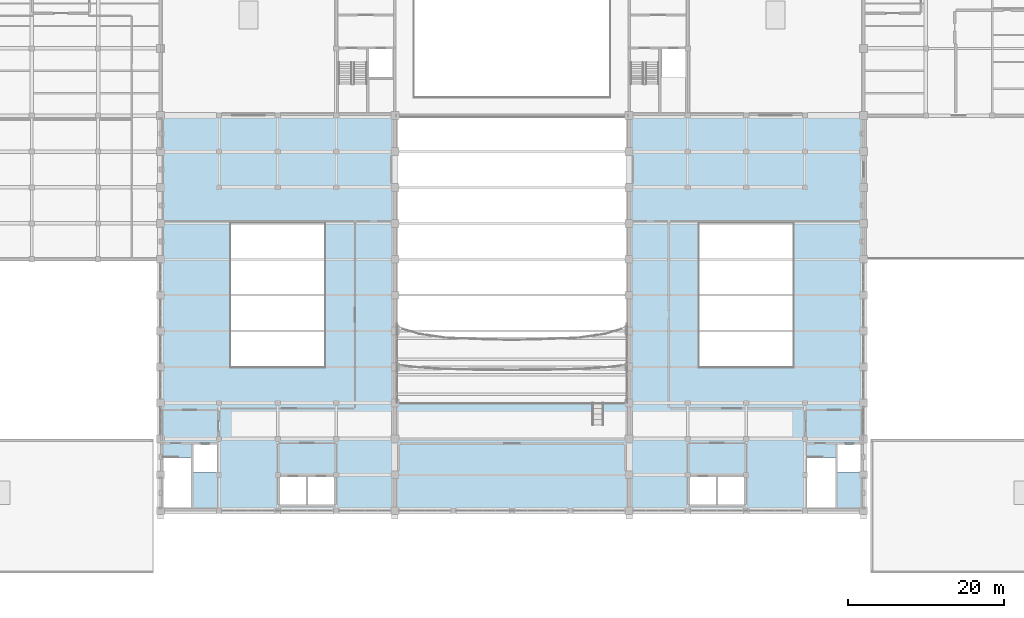
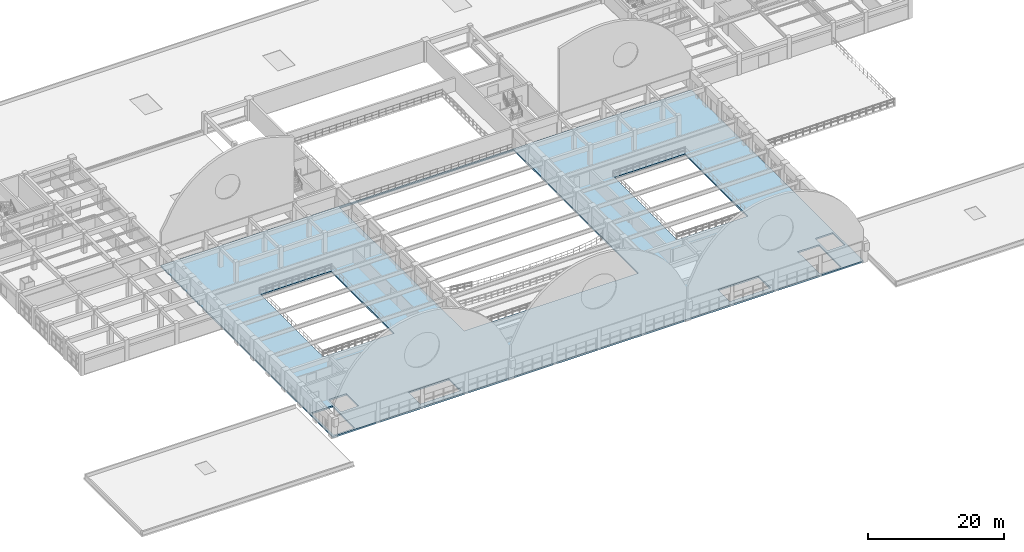
# One storey, part 45 of 74: 1 slab.
"""IFC4 building model written with IfcOpenShell, lengths in metres."""

import ifcopenshell
import ifcopenshell.guid

model = None  # the IFC model being written
_history = None  # IfcOwnerHistory: only IFC2X3 demands one
_inside = {}  # id of a spatial element -> (the spatial element, [elements in it])
_under = {}  # id of a project, library or spatial element -> (it, [spatial elements below it])
_declared = {}  # id of a project -> (the project, [libraries it declares])
_typed = {}  # id of a type object -> (the type object, [elements of that type])
_made_of = {}  # id of a material, layer set ... -> (it, [elements and type objects made of it])


def new_model(schema):
    """Start an empty IFC model of exactly this schema.

    Asked for "IFC4X3", IfcOpenShell would pick the latest addendum, in which some entities
    have other attributes; the version numbers below select the first issue.
    IFC2X3 requires an IfcOwnerHistory on every rooted entity: one is made here for all.
    """
    global model, _history
    if schema == "IFC4X3":
        model = ifcopenshell.file(schema_version=(4, 3, 0, 0))
    else:
        model = ifcopenshell.file(schema=schema)
    _inside.clear()
    _under.clear()
    _declared.clear()
    _typed.clear()
    _made_of.clear()
    _history = None
    if model.schema == "IFC2X3":
        org = make("IfcOrganization", Name="unknown")
        user = make(
            "IfcPersonAndOrganization",
            ThePerson=make("IfcPerson", FamilyName="unknown"),
            TheOrganization=org,
        )
        app = make(
            "IfcApplication",
            ApplicationDeveloper=org,
            Version="unknown",
            ApplicationFullName="unknown",
            ApplicationIdentifier="unknown",
        )
        _history = make(
            "IfcOwnerHistory",
            OwningUser=user,
            OwningApplication=app,
            ChangeAction="ADDED",
            CreationDate=0,
        )
    return model


def make(cls, **values):
    """One entity of the class cls with the attributes given. An attribute that is None is left unset."""
    return model.create_entity(
        cls, **{name: value for name, value in values.items() if value is not None}
    )


def rooted(cls, **values):
    """An entity with a GlobalId (a new one), such as an element, a storey or a relation."""
    return make(cls, GlobalId=ifcopenshell.guid.new(), OwnerHistory=_history, **values)


def si_unit(unit_type, name, prefix=None):
    """IfcSIUnit, for example si_unit("LENGTHUNIT", "METRE", prefix="MILLI")."""
    return make("IfcSIUnit", UnitType=unit_type, Prefix=prefix, Name=name)


def assignment(units):
    """IfcUnitAssignment: the units of a project."""
    return None if units is None else make("IfcUnitAssignment", Units=units)


def point(xyz):
    """IfcCartesianPoint."""
    return None if xyz is None else make("IfcCartesianPoint", Coordinates=xyz)


def direction(xyz):
    """IfcDirection."""
    return None if xyz is None else make("IfcDirection", DirectionRatios=xyz)


def frame(location, z_axis=None, x_axis=None):
    """IfcAxis2Placement3D, a coordinate frame: its origin and axes. An axis left out is left unset."""
    return make(
        "IfcAxis2Placement3D",
        Location=point(location),
        Axis=direction(z_axis),
        RefDirection=direction(x_axis),
    )


def origin():
    """The frame at (0, 0, 0) with its axes left unset."""
    return frame((0.0, 0.0, 0.0))


def place(relative_to, where):
    """IfcLocalPlacement: puts the frame where relative to a parent placement (None: the world)."""
    return make(
        "IfcLocalPlacement", PlacementRelTo=relative_to, RelativePlacement=where
    )


def context(
    kind, dimensions, precision=None, world=None, true_north=None, identifier=None
):
    """IfcGeometricRepresentationContext, for example the 3D "Model" context."""
    return make(
        "IfcGeometricRepresentationContext",
        ContextIdentifier=identifier,
        ContextType=kind,
        CoordinateSpaceDimension=dimensions,
        Precision=precision,
        WorldCoordinateSystem=world,
        TrueNorth=true_north,
    )


def subcontext(parent, identifier, kind, view, scale=None):
    """IfcGeometricRepresentationSubContext, for example "Body" below "Model"."""
    return make(
        "IfcGeometricRepresentationSubContext",
        ContextIdentifier=identifier,
        ContextType=kind,
        ParentContext=parent,
        TargetScale=scale,
        TargetView=view,
    )


def project(units=None, contexts=None):
    """IfcProject with its units and contexts."""
    return rooted(
        "IfcProject",
        Name="project",
        RepresentationContexts=contexts,
        UnitsInContext=assignment(units),
    )


def spatial(cls, under=None, at=None, **own):
    """A site, building, storey or space (cls), placed at a placement, below another one or the project."""
    s = rooted(cls, ObjectPlacement=at, **own)
    if under is not None:
        _under.setdefault(under.id(), (under, []))[1].append(s)
    return s


def polyline(points):
    """IfcPolyline through the points."""
    return make("IfcPolyline", Points=[point(p) for p in points])


def outline(outer, holes=None, kind="AREA"):
    """IfcArbitraryClosedProfileDef: a profile drawn as a closed curve; with holes, ...WithVoids."""
    if holes is None:
        return make("IfcArbitraryClosedProfileDef", ProfileType=kind, OuterCurve=outer)
    return make(
        "IfcArbitraryProfileDefWithVoids",
        ProfileType=kind,
        OuterCurve=outer,
        InnerCurves=holes,
    )


def extrude(swept, where, along, depth):
    """IfcExtrudedAreaSolid: the profile swept, set in the frame where, extruded along a direction by depth."""
    return make(
        "IfcExtrudedAreaSolid",
        SweptArea=swept,
        Position=where,
        ExtrudedDirection=direction(along),
        Depth=depth,
    )


def shape(context_of_items, identifier, shape_type, items):
    """IfcShapeRepresentation: the items that make up one representation, for example the "Body"."""
    return make(
        "IfcShapeRepresentation",
        ContextOfItems=context_of_items,
        RepresentationIdentifier=identifier,
        RepresentationType=shape_type,
        Items=items,
    )


def material(Name=None, Category=None):
    """IfcMaterial."""
    return make("IfcMaterial", Name=Name, Category=Category)


def layer(
    of_material, thickness, ventilated=None, Name=None, Category=None, Priority=None
):
    """IfcMaterialLayer: one layer of a wall or slab, of a material (None: an air gap)."""
    return make(
        "IfcMaterialLayer",
        Material=of_material,
        LayerThickness=thickness,
        IsVentilated=ventilated,
        Name=Name,
        Category=Category,
        Priority=Priority,
    )


def layer_set(layers, Name=None):
    """IfcMaterialLayerSet."""
    return make("IfcMaterialLayerSet", MaterialLayers=layers, LayerSetName=Name)


def made_of(thing, what):
    """Note that an element or type object is made of a material, layer set ...; save() writes the relation."""
    if what is not None:
        _made_of.setdefault(what.id(), (what, []))[1].append(thing)
    return thing


def type_object(cls, material=None, **own):
    """A type object (cls), such as IfcWallType, which elements share."""
    return made_of(rooted(cls, **own), material)


def element(
    cls,
    number,
    at=None,
    inside=None,
    cuts=None,
    type_object=None,
    material=None,
    context=None,
    identifier="Body",
    shape_type=None,
    held_by="IfcProductDefinitionShape",
    body=None,
    shapes=None,
    **own,
):
    """One element of the class cls, such as IfcWall. Its Tag is "e" and its number.

    at: its placement. inside: the storey or other place that contains it. cuts: it is an
    opening in that element (IfcRelVoidsElement). A single representation is given by context,
    identifier, shape_type and body (its items); several are given by shapes. held_by: the class
    of the entity that holds the representations. save() writes the other relations.
    """
    e = rooted(cls, Tag="e%d" % number, ObjectPlacement=at, **own)
    if body is not None:
        shapes = [shape(context, identifier, shape_type, body)]
    if shapes is not None:
        e.Representation = make(held_by, Representations=shapes)
    if inside is not None:
        _inside.setdefault(inside.id(), (inside, []))[1].append(e)
    if cuts is not None:
        rooted(
            "IfcRelVoidsElement", RelatingBuildingElement=cuts, RelatedOpeningElement=e
        )
    if type_object is not None:
        _typed.setdefault(type_object.id(), (type_object, []))[1].append(e)
    return made_of(e, material)


def aggregate(whole, parts):
    """IfcRelAggregates: a whole, such as a stair, and the parts it consists of."""
    return rooted("IfcRelAggregates", RelatingObject=whole, RelatedObjects=parts)


def save(model, path):
    """Write the relations noted so far, then the file.

    IfcRelAggregates (storeys below a building ...), IfcRelContainedInSpatialStructure (elements
    in a storey), IfcRelDefinesByType, IfcRelAssociatesMaterial and IfcRelDeclares: one each for
    every whole, place, type object, material and project.
    """
    for whole, parts in _under.values():
        aggregate(whole, parts)
    for where, things in _inside.values():
        rooted(
            "IfcRelContainedInSpatialStructure",
            RelatedElements=things,
            RelatingStructure=where,
        )
    for kind, things in _typed.values():
        rooted("IfcRelDefinesByType", RelatedObjects=things, RelatingType=kind)
    for what, things in _made_of.values():
        rooted("IfcRelAssociatesMaterial", RelatedObjects=things, RelatingMaterial=what)
    for by, libraries in _declared.values():
        rooted("IfcRelDeclares", RelatingContext=by, RelatedDefinitions=libraries)
    model.write(path)


model = new_model("IFC4")

# Units and contexts
model_context = context("Model", 3, precision=1e-05, world=origin(), true_north=direction((0.0, 1.0)))
body_context = subcontext(model_context, "Body", "Model", "MODEL_VIEW")
ifc_project = project(units=[si_unit("LENGTHUNIT", "METRE"), si_unit("AREAUNIT", "SQUARE_METRE"), si_unit("VOLUMEUNIT", "CUBIC_METRE"), si_unit("PLANEANGLEUNIT", "RADIAN"), si_unit("MASSUNIT", "GRAM", prefix="KILO")], contexts=[model_context])

# Site, building, storey
site_placement = place(None, origin())
site = spatial("IfcSite", under=ifc_project, at=site_placement, CompositionType="ELEMENT")
building_placement = place(site_placement, origin())
building = spatial("IfcBuilding", under=site, at=building_placement, Name="Muzn Square Opera House", CompositionType="ELEMENT")
storey_placement = place(building_placement, frame((0.0, 0.0, 14.199951171875)))
storey = spatial("IfcBuildingStorey", under=building, at=storey_placement, Name="L03", CompositionType="ELEMENT", Elevation=14.199951171875)

# Slab
ifc_material = material(Name="Concrete C40/50", Category="concrete")
ifc_layer = layer(ifc_material, 0.280029296875, Name="Concrete C40/50", Category="concrete")
ifc_layer_set = layer_set([ifc_layer], Name="Concrete C40/50")
slab_type = type_object("IfcSlabType", Name="Floor Slab 280mm", PredefinedType="FLOOR", material=ifc_layer_set)
slab_placement = place(storey_placement, frame((0.0, 0.0, -0.280029296875)))
element("IfcSlab", 1, at=slab_placement, inside=storey, type_object=slab_type, Name="Floor Slab SLB-L03-HALL", PredefinedType="FLOOR", context=body_context, shape_type="SweptSolid", body=[
    extrude(outline(polyline([(43.0, 22.0), (133.0, 22.0), (133.0, 72.60009765625), (43.0, 72.60009765625), (43.0, 22.0)]), holes=[polyline([(73.2099609375, 35.800048828125), (102.7900390625, 35.800048828125), (102.7900390625, 72.35009765625), (73.2099609375, 72.35009765625), (73.2099609375, 35.800048828125)]), polyline([(52.0, 40.39990234375), (64.0, 40.39990234375), (64.0, 58.800048828125), (52.0, 58.800048828125), (52.0, 40.39990234375)]), polyline([(112.0, 40.39990234375), (124.0, 40.39990234375), (124.0, 58.800048828125), (112.0, 58.800048828125), (112.0, 40.39990234375)]), polyline([(43.300048828125, 22.300048828125), (46.89990234375, 22.300048828125), (46.89990234375, 28.83203125), (43.300048828125, 28.83203125), (43.300048828125, 22.300048828125)]), polyline([(47.199951171875, 26.89990234375), (50.199951171875, 26.89990234375), (50.199951171875, 30.5), (47.199951171875, 30.5), (47.199951171875, 26.89990234375)]), polyline([(125.800048828125, 22.300048828125), (129.39990234375, 22.300048828125), (129.39990234375, 28.83203125), (125.800048828125, 28.83203125), (125.800048828125, 22.300048828125)]), polyline([(129.699951171875, 26.89990234375), (132.699951171875, 26.89990234375), (132.699951171875, 30.5), (129.699951171875, 30.5), (129.699951171875, 26.89990234375)]), polyline([(58.300048828125, 22.800048828125), (65.199951171875, 22.800048828125), (65.199951171875, 26.300048828125), (58.300048828125, 26.300048828125), (58.300048828125, 22.800048828125)]), polyline([(110.800048828125, 22.800048828125), (117.699951171875, 22.800048828125), (117.699951171875, 26.300048828125), (110.800048828125, 26.300048828125), (110.800048828125, 22.800048828125)])]), origin(), (0.0, 0.0, 1.0), 0.280029296875),
])

save(model, "model.ifc")
